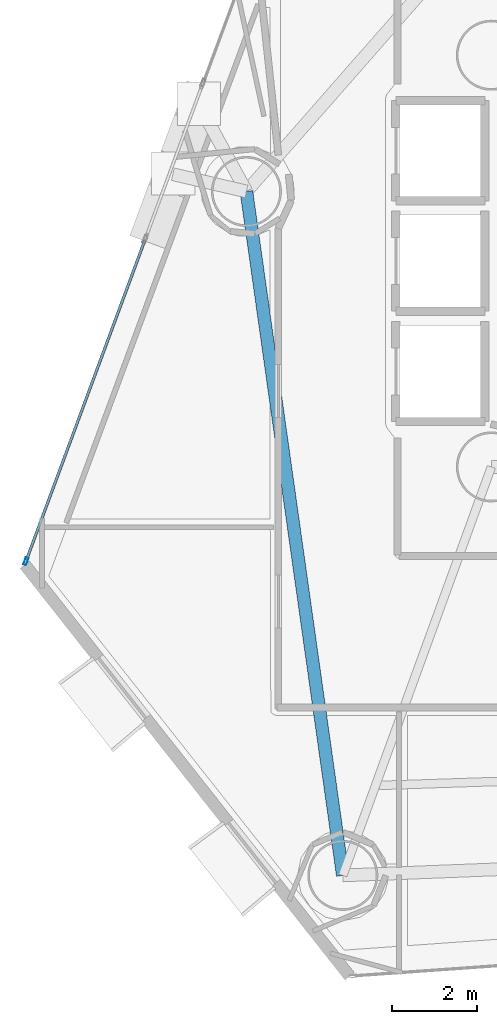
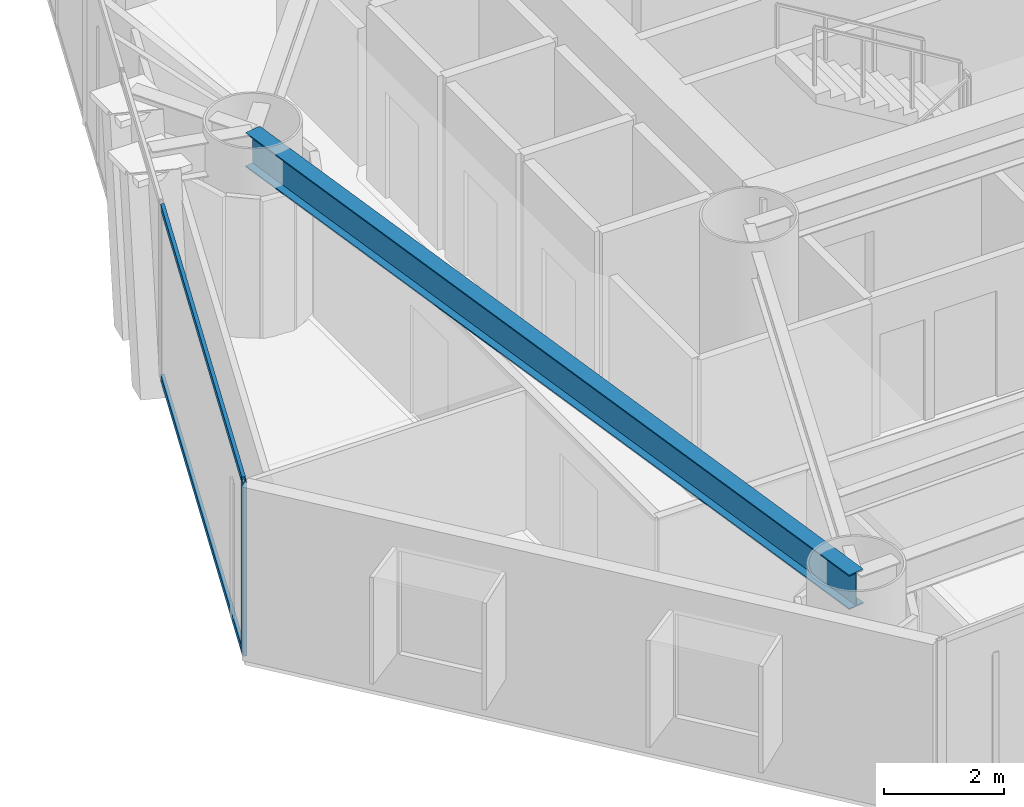
# One storey, part 4 of 24: 3 members, 1 beam, 1 element without a shape of its own.
"""IFC4 building model written with IfcOpenShell, lengths in metres."""

from ifc_helpers import new_model, si_unit, direction, frame, origin, origin_2d, place, context, subcontext, project, spatial, hollow_rectangle, i_section, extrude, material, layer, layer_set, material_profile, profile_set, type_object, element, aggregate, save


model = new_model("IFC4")

# Units and contexts
model_context = context("Model", 3, precision=1e-05, world=origin(), true_north=direction((0.0, 1.0)))
body_context = subcontext(model_context, "Body", "Model", "MODEL_VIEW")
ifc_project = project(units=[si_unit("LENGTHUNIT", "METRE"), si_unit("AREAUNIT", "SQUARE_METRE"), si_unit("VOLUMEUNIT", "CUBIC_METRE"), si_unit("PLANEANGLEUNIT", "RADIAN"), si_unit("MASSUNIT", "GRAM", prefix="KILO")], contexts=[model_context])

# Site, building, storey
site_placement = place(None, origin())
site = spatial("IfcSite", under=ifc_project, at=site_placement, CompositionType="ELEMENT")
building_placement = place(site_placement, origin())
building = spatial("IfcBuilding", under=site, at=building_placement, Name="Qianvela Tower", CompositionType="ELEMENT")
storey_placement = place(building_placement, frame((0.0, 0.0, 59.89990234375)))
storey = spatial("IfcBuildingStorey", under=building, at=storey_placement, Name="L14", CompositionType="ELEMENT", Elevation=59.89990234375)

# Beam
ifc_material_1 = material(Name="Steel Q355B", Category="steel")
ifc_material_profile_1 = material_profile(ifc_material_1, i_section(OverallWidth=0.300048828125, OverallDepth=0.699951171875, WebThickness=0.012939453125, FlangeThickness=0.02392578125, at=origin_2d()), Name="HN700x300x13x24")
ifc_profile_set_1 = profile_set([ifc_material_profile_1], Name="Steel Q355B")
beam_type = type_object("IfcBeamType", Name="BM-HN700-SPAND", PredefinedType="SPANDREL", material=ifc_profile_set_1)
beam_placement = place(storey_placement, frame((22.8291015625, 30.340087890625, 3.168212890625), z_axis=(0.139545592864, -0.990215646974, 0.0), x_axis=(0.990215646974, 0.139545592864, 0.0)))
element("IfcBeam", 1, at=beam_placement, inside=storey, type_object=beam_type, Name="L14 Perimeter Ring Spandrel Girder 4", PredefinedType="SPANDREL", context=body_context, shape_type="SweptSolid", body=[
    extrude(i_section(OverallWidth=0.300048828125, OverallDepth=0.699951171875, WebThickness=0.012939453125, FlangeThickness=0.02392578125, at=origin_2d()), origin(), (0.0, 0.0, 1.0), 16.274169921875),
])

# Curtain wall, members
ifc_material_2 = material(Name="Anodised Architectural Aluminium and Low-E Glass", Category="aluminium")
ifc_layer = layer(ifc_material_2, 0.179931640625)
ifc_layer_set = layer_set([ifc_layer], Name="Anodised Architectural Aluminium and Low-E Glass")
curtain_wall_type = type_object("IfcCurtainWallType", Name="CW-COLIV-Z12", PredefinedType="USERDEFINED", material=ifc_layer_set)
curtain_wall_placement = place(storey_placement, origin())
curtain_wall = element("IfcCurtainWall", 2, at=curtain_wall_placement, inside=storey, type_object=curtain_wall_type, Name="L14 CW-COLIV-Z12 Curtain Wall 04C", ObjectType="CURTAIN_WALL_SYSTEM", PredefinedType="USERDEFINED")
ifc_material_3 = material(Name="Anodised Architectural Aluminium 6063-T6", Category="aluminium")
ifc_material_profile_2 = material_profile(ifc_material_3, hollow_rectangle(XDim=0.070068359375, YDim=0.179931640625, WallThickness=0.0048828125, at=origin_2d()), Name="ALU-MULL-70x180")
ifc_profile_set_2 = profile_set([ifc_material_profile_2], Name="Anodised Architectural Aluminium 6063-T6")
member_type_1 = type_object("IfcMemberType", Name="CW-COLIV-Z12-MULL", PredefinedType="MULLION", material=ifc_profile_set_2)
member_1_placement = place(storey_placement, frame((17.63330078125, 21.626220703125, 0.0), z_axis=(0.0, 0.0, 1.0), x_axis=(0.937769894742, -0.347257288643, 0.0)))
member_1 = element("IfcMember", 3, at=member_1_placement, type_object=member_type_1, Name="CW-3 mullion 2", PredefinedType="MULLION", context=body_context, shape_type="SweptSolid", body=[
    extrude(hollow_rectangle(XDim=0.070068359375, YDim=0.179931640625, WallThickness=0.0048828125, at=origin_2d()), origin(), (0.0, 0.0, 1.0), 3.52001953125),
])
ifc_material_4 = material(Name="Anodised Architectural Aluminium 6063-T6", Category="aluminium")
ifc_material_profile_3 = material_profile(ifc_material_4, hollow_rectangle(XDim=0.06494140625, YDim=0.1298828125, WallThickness=0.00439453125, at=origin_2d()), Name="ALU-TRAN-65x130")
ifc_profile_set_3 = profile_set([ifc_material_profile_3], Name="Anodised Architectural Aluminium 6063-T6")
member_type_2 = type_object("IfcMemberType", Name="CW-COLIV-Z12-TRAN", PredefinedType="USERDEFINED", material=ifc_profile_set_3)
member_2_placement = place(storey_placement, frame((20.430908203125, 29.18115234375, 0.03271484375), z_axis=(-0.34724793843, -0.937773357084, 0.0), x_axis=(0.937773357084, -0.34724793843, 0.0)))
member_2 = element("IfcMember", 4, at=member_2_placement, type_object=member_type_2, Name="CW-3 transom 1.1", ObjectType="TRANSOM", PredefinedType="USERDEFINED", context=body_context, shape_type="SweptSolid", body=[
    extrude(hollow_rectangle(XDim=0.06494140625, YDim=0.1298828125, WallThickness=0.00439453125, at=origin_2d()), origin(), (0.0, 0.0, 1.0), 8.021240234375),
])
member_3_placement = place(storey_placement, frame((20.430908203125, 29.18115234375, 3.487548828125), z_axis=(-0.34724793843, -0.937773357084, 0.0), x_axis=(0.937773357084, -0.34724793843, 0.0)))
member_3 = element("IfcMember", 5, at=member_3_placement, type_object=member_type_2, Name="CW-3 transom 1.2", ObjectType="TRANSOM", PredefinedType="USERDEFINED", context=body_context, shape_type="SweptSolid", body=[
    extrude(hollow_rectangle(XDim=0.06494140625, YDim=0.1298828125, WallThickness=0.00439453125, at=origin_2d()), origin(), (0.0, 0.0, 1.0), 8.021240234375),
])
aggregate(curtain_wall, [member_1, member_2, member_3])

save(model, "model.ifc")
